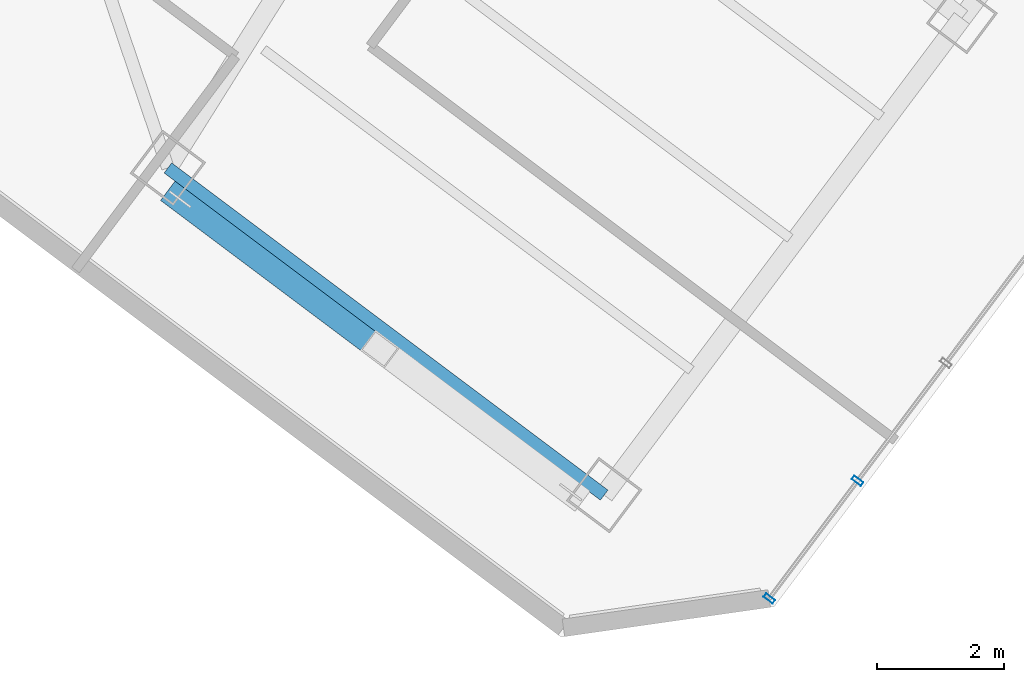
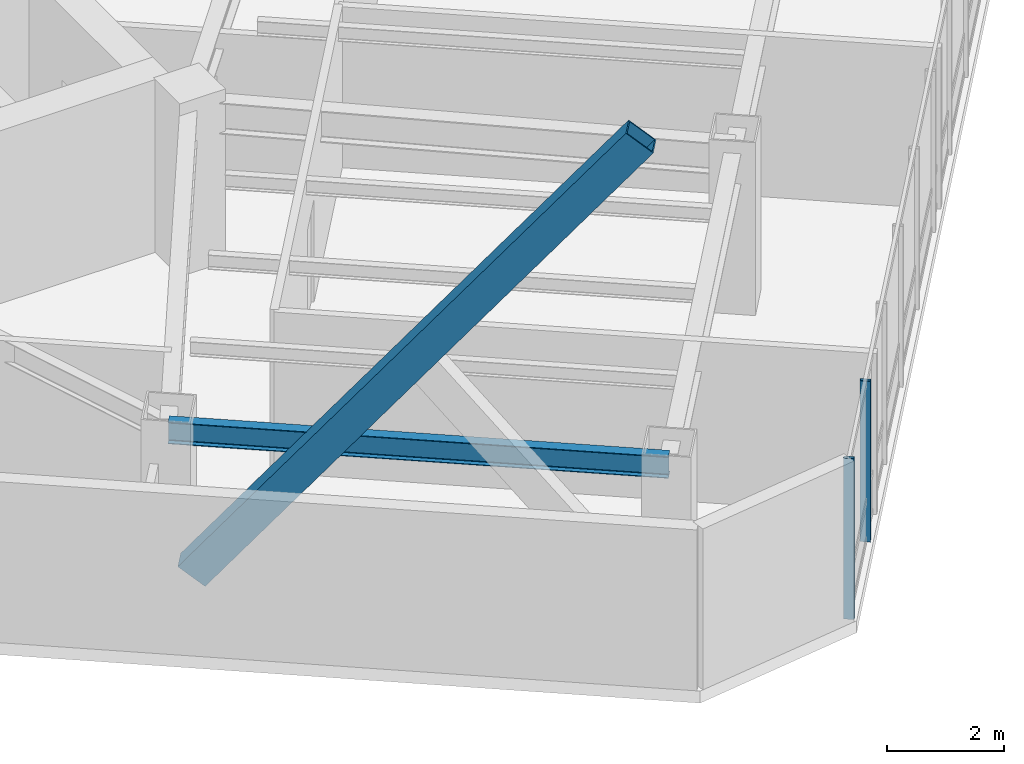
# One storey, part 10 of 27: 3 members, 1 beam, 1 element without a shape of its own.
"""IFC4 building model written with IfcOpenShell, lengths in metres."""

from ifc_helpers import new_model, si_unit, direction, frame, origin, origin_2d, place, context, subcontext, project, spatial, hollow_rectangle, i_section, extrude, material, layer, layer_set, material_profile, profile_set, type_object, element, aggregate, save


model = new_model("IFC4")

# Units and contexts
model_context = context("Model", 3, precision=1e-05, world=origin(), true_north=direction((0.0, 1.0)))
body_context = subcontext(model_context, "Body", "Model", "MODEL_VIEW")
ifc_project = project(units=[si_unit("LENGTHUNIT", "METRE"), si_unit("AREAUNIT", "SQUARE_METRE"), si_unit("VOLUMEUNIT", "CUBIC_METRE"), si_unit("PLANEANGLEUNIT", "RADIAN"), si_unit("MASSUNIT", "GRAM", prefix="KILO")], contexts=[model_context])

# Site, building, storey
site_placement = place(None, origin())
site = spatial("IfcSite", under=ifc_project, at=site_placement, CompositionType="ELEMENT")
building_placement = place(site_placement, origin())
building = spatial("IfcBuilding", under=site, at=building_placement, Name="Hatsunagi Terrace Concourse", CompositionType="ELEMENT")
storey_placement = place(building_placement, frame((0.0, 0.0, 156.449951171875)))
storey = spatial("IfcBuildingStorey", under=building, at=storey_placement, Name="L41", CompositionType="ELEMENT", Elevation=156.449951171875)

# Curtain wall, members
ifc_material_1 = material(Name="Anodised Aluminium Alloy 6063-T5", Category="aluminium")
ifc_layer = layer(ifc_material_1, 0.199951171875)
ifc_layer_set = layer_set([ifc_layer], Name="OfficeZone1_CW03")
curtain_wall_type = type_object("IfcCurtainWallType", Name="OfficeZone1_CW03", PredefinedType="NOTDEFINED", material=ifc_layer_set)
curtain_wall_placement = place(storey_placement, origin())
curtain_wall = element("IfcCurtainWall", 1, at=curtain_wall_placement, inside=storey, type_object=curtain_wall_type, Name="Unitised Curtain Wall CW-03 CW-L41-03", PredefinedType="NOTDEFINED")
ifc_material_2 = material(Name="Anodised Aluminium Alloy 6063-T5", Category="aluminium")
ifc_material_profile_1 = material_profile(ifc_material_2, hollow_rectangle(XDim=0.070068359375, YDim=0.179931640625, WallThickness=0.00390625, at=origin_2d()), Name="ALU-MUL-180x70x4")
ifc_profile_set_1 = profile_set([ifc_material_profile_1], Name="Anodised Aluminium Alloy 6063-T5")
member_type_1 = type_object("IfcMemberType", Name="CurtainWallMullion_180x70", PredefinedType="MULLION", material=ifc_profile_set_1)
member_1_placement = place(storey_placement, frame((49.554931640625, 11.10595703125, 0.0), z_axis=(0.0, 0.0, 1.0), x_axis=(-0.599969314634, -0.800023013105, 0.0)))
member_1 = element("IfcMember", 2, at=member_1_placement, type_object=member_type_1, Name="Curtain Wall Mullion MUL-02", PredefinedType="MULLION", context=body_context, shape_type="SweptSolid", body=[
    extrude(hollow_rectangle(XDim=0.070068359375, YDim=0.179931640625, WallThickness=0.00390625, at=origin_2d()), origin(), (0.0, 0.0, 1.0), 3.35009765625),
])
member_2_placement = place(storey_placement, frame((48.1630859375, 9.25, 0.0), z_axis=(0.0, 0.0, 1.0), x_axis=(-0.599969314634, -0.800023013105, 0.0)))
member_2 = element("IfcMember", 3, at=member_2_placement, type_object=member_type_1, Name="Curtain Wall Mullion MUL-02", PredefinedType="MULLION", context=body_context, shape_type="SweptSolid", body=[
    extrude(hollow_rectangle(XDim=0.070068359375, YDim=0.179931640625, WallThickness=0.00390625, at=origin_2d()), origin(), (0.0, 0.0, 1.0), 3.35009765625),
])
aggregate(curtain_wall, [member_1, member_2])

# Beam
ifc_material_3 = material(Name="Steel SN490B", Category="steel")
ifc_material_profile_2 = material_profile(ifc_material_3, i_section(OverallWidth=0.199951171875, OverallDepth=0.449951171875, WebThickness=0.009033203125, FlangeThickness=0.013916015625, FilletRadius=0.01611328125, at=origin_2d()), Name="H-450x200x9x14")
ifc_profile_set_2 = profile_set([ifc_material_profile_2], Name="Steel SN490B")
beam_type = type_object("IfcBeamType", Name="PerimeterSpandrel_H_450x200", PredefinedType="SPANDREL", material=ifc_profile_set_2)
beam_placement = place(storey_placement, frame((38.679931640625, 16.0400390625, 3.125), z_axis=(0.799996593451, -0.600004542038, 0.0), x_axis=(0.600004542038, 0.799996593451, 0.0)))
element("IfcBeam", 4, at=beam_placement, inside=storey, type_object=beam_type, Name="Beam SP-02 BM-L41-SE-SW2", PredefinedType="SPANDREL", context=body_context, shape_type="SweptSolid", body=[
    extrude(i_section(OverallWidth=0.199951171875, OverallDepth=0.449951171875, WebThickness=0.009033203125, FlangeThickness=0.013916015625, FilletRadius=0.01611328125, at=origin_2d()), origin(), (0.0, 0.0, 1.0), 8.60009765625),
])

# Member
ifc_material_4 = material(Name="Steel SN490B", Category="steel")
ifc_material_profile_3 = material_profile(ifc_material_4, hollow_rectangle(XDim=0.39990234375, YDim=0.60009765625, WallThickness=0.02490234375, at=origin_2d()), Name="RHS-600x400x25")
ifc_profile_set_3 = profile_set([ifc_material_profile_3], Name="Steel SN490B")
member_type_2 = type_object("IfcMemberType", Name="PerimeterXBrace_Mid_RHS_600x400x25", PredefinedType="BRACE", material=ifc_profile_set_3)
member_3_placement = place(storey_placement, frame((38.8720703125, 15.5458984375, 0.43994140625), z_axis=(0.498325423668, -0.373739130121, 0.782298430743), x_axis=(0.599994926839, 0.800003804845, 0.0)))
element("IfcMember", 5, at=member_3_placement, inside=storey, type_object=member_type_2, Name="Perimeter X-Brace XB-02 XB-L41-SEA", PredefinedType="BRACE", context=body_context, shape_type="SweptSolid", body=[
    extrude(hollow_rectangle(XDim=0.39990234375, YDim=0.60009765625, WallThickness=0.02490234375, at=origin_2d()), origin(), (0.0, 0.0, 1.0), 12.361328125),
])

save(model, "model.ifc")
